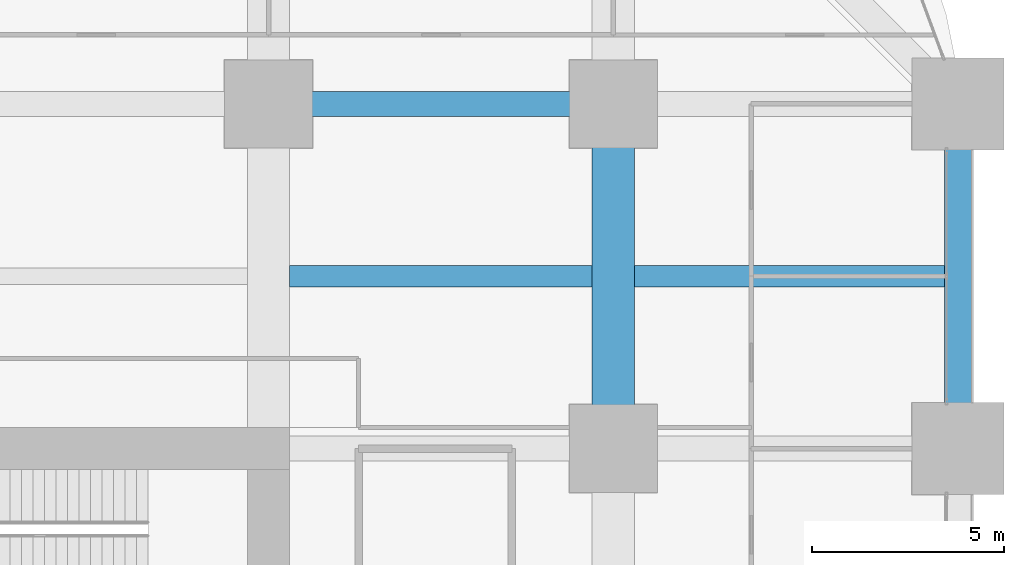
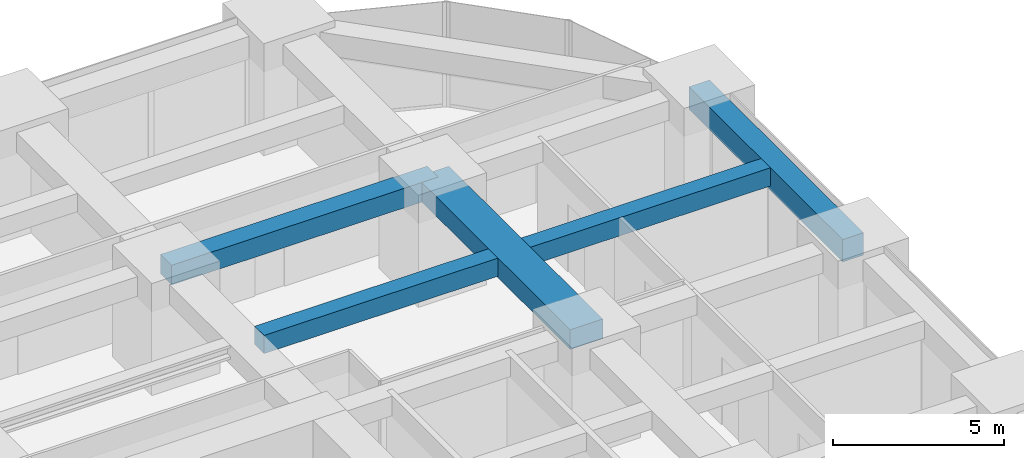
# One storey, part 33 of 45: 5 beams.
"""IFC4 building model written with IfcOpenShell, lengths in metres."""

from ifc_helpers import new_model, si_unit, direction, frame, origin, origin_2d, place, context, subcontext, project, spatial, rectangle, extrude, material, material_profile, profile_set, type_object, element, save


model = new_model("IFC4")

# Units and contexts
model_context = context("Model", 3, precision=1e-05, world=origin(), true_north=direction((0.0, 1.0)))
body_context = subcontext(model_context, "Body", "Model", "MODEL_VIEW")
ifc_project = project(units=[si_unit("LENGTHUNIT", "METRE"), si_unit("AREAUNIT", "SQUARE_METRE"), si_unit("VOLUMEUNIT", "CUBIC_METRE"), si_unit("PLANEANGLEUNIT", "RADIAN"), si_unit("MASSUNIT", "GRAM", prefix="KILO")], contexts=[model_context])

# Site, building, storey
site_placement = place(None, origin())
site = spatial("IfcSite", under=ifc_project, at=site_placement, CompositionType="ELEMENT")
building_placement = place(site_placement, origin())
building = spatial("IfcBuilding", under=site, at=building_placement, Name="Zorevar Civic Tower", CompositionType="ELEMENT")
storey_placement = place(building_placement, frame((0.0, 0.0, 27.800048828125)))
storey = spatial("IfcBuildingStorey", under=building, at=storey_placement, Name="L06", CompositionType="ELEMENT", Elevation=27.800048828125)

# Beams
ifc_material_1 = material(Name="Concrete C50/60", Category="concrete")
ifc_material_profile_1 = material_profile(ifc_material_1, rectangle(XDim=1.10009765625, YDim=0.699951171875, at=origin_2d()), Name="RC 1100x700")
ifc_profile_set_1 = profile_set([ifc_material_profile_1], Name="Concrete C50/60")
beam_type_1 = type_object("IfcBeamType", Name="Beam RC 1100x700", PredefinedType="BEAM", material=ifc_profile_set_1)
beam_1_placement = place(storey_placement, frame((54.0, 36.0, 3.39990234375), z_axis=(0.0, 1.0, 0.0), x_axis=(-1.0, 0.0, 0.0)))
element("IfcBeam", 1, at=beam_1_placement, inside=storey, type_object=beam_type_1, Name="Girder L07", PredefinedType="BEAM", context=body_context, shape_type="SweptSolid", body=[
    extrude(rectangle(XDim=1.10009765625, YDim=0.699951171875, at=origin_2d()), origin(), (0.0, 0.0, 1.0), 9.0),
])
ifc_material_2 = material(Name="Concrete C50/60", Category="concrete")
ifc_material_profile_2 = material_profile(ifc_material_2, rectangle(XDim=0.550048828125, YDim=0.64990234375, at=origin_2d()), Name="RC 550x650")
ifc_profile_set_2 = profile_set([ifc_material_profile_2], Name="Concrete C50/60")
beam_type_2 = type_object("IfcBeamType", Name="Beam RC 550x650", PredefinedType="BEAM", material=ifc_profile_set_2)
beam_2_placement = place(storey_placement, frame((45.550048828125, 40.5, 3.425048828125), z_axis=(1.0, 0.0, 0.0), x_axis=(0.0, 1.0, 0.0)))
element("IfcBeam", 2, at=beam_2_placement, inside=storey, type_object=beam_type_2, Name="Secondary beam L07", PredefinedType="BEAM", context=body_context, shape_type="SweptSolid", body=[
    extrude(rectangle(XDim=0.550048828125, YDim=0.64990234375, at=origin_2d()), origin(), (0.0, 0.0, 1.0), 7.89990234375),
])
beam_3_placement = place(storey_placement, frame((54.550048828125, 40.5, 3.425048828125), z_axis=(1.0, 0.0, 0.0), x_axis=(0.0, 1.0, 0.0)))
element("IfcBeam", 3, at=beam_3_placement, inside=storey, type_object=beam_type_2, Name="Secondary beam L07", PredefinedType="BEAM", context=body_context, shape_type="SweptSolid", body=[
    extrude(rectangle(XDim=0.550048828125, YDim=0.64990234375, at=origin_2d()), origin(), (0.0, 0.0, 1.0), 8.099853515625),
])
ifc_material_3 = material(Name="Concrete C50/60", Category="concrete")
ifc_material_profile_3 = material_profile(ifc_material_3, rectangle(XDim=0.64990234375, YDim=0.699951171875, at=origin_2d()), Name="RC 650x700")
ifc_profile_set_3 = profile_set([ifc_material_profile_3], Name="Concrete C50/60")
beam_type_3 = type_object("IfcBeamType", Name="Beam RC 650x700", PredefinedType="BEAM", material=ifc_profile_set_3)
beam_4_placement = place(storey_placement, frame((45.0, 45.0, 3.39990234375), z_axis=(1.0, 0.0, 0.0), x_axis=(0.0, 1.0, 0.0)))
element("IfcBeam", 4, at=beam_4_placement, inside=storey, type_object=beam_type_3, Name="Girder L07", PredefinedType="BEAM", context=body_context, shape_type="SweptSolid", body=[
    extrude(rectangle(XDim=0.64990234375, YDim=0.699951171875, at=origin_2d()), origin(), (0.0, 0.0, 1.0), 9.0),
])
ifc_material_4 = material(Name="Concrete C50/60", Category="concrete")
ifc_material_profile_4 = material_profile(ifc_material_4, rectangle(XDim=0.699951171875, YDim=0.800048828125, at=origin_2d()), Name="RC 700x800")
ifc_profile_set_4 = profile_set([ifc_material_profile_4], Name="Concrete C50/60")
beam_type_4 = type_object("IfcBeamType", Name="Edge beam RC 700x800", PredefinedType="SPANDREL", material=ifc_profile_set_4)
beam_5_placement = place(storey_placement, frame((63.0, 36.0, 3.349853515625), z_axis=(0.0, 1.0, 0.0), x_axis=(-1.0, 0.0, 0.0)))
element("IfcBeam", 5, at=beam_5_placement, inside=storey, type_object=beam_type_4, Name="Edge beam L07", PredefinedType="SPANDREL", context=body_context, shape_type="SweptSolid", body=[
    extrude(rectangle(XDim=0.699951171875, YDim=0.800048828125, at=origin_2d()), origin(), (0.0, 0.0, 1.0), 9.0),
])

save(model, "model.ifc")
